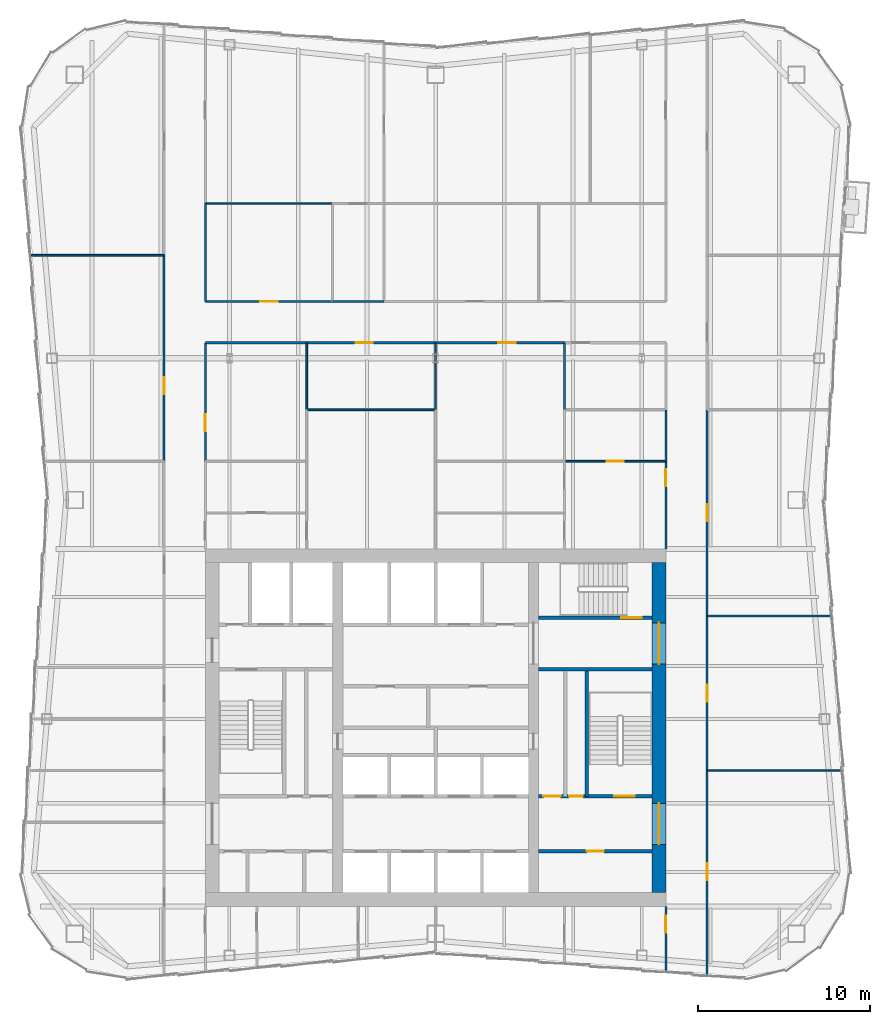
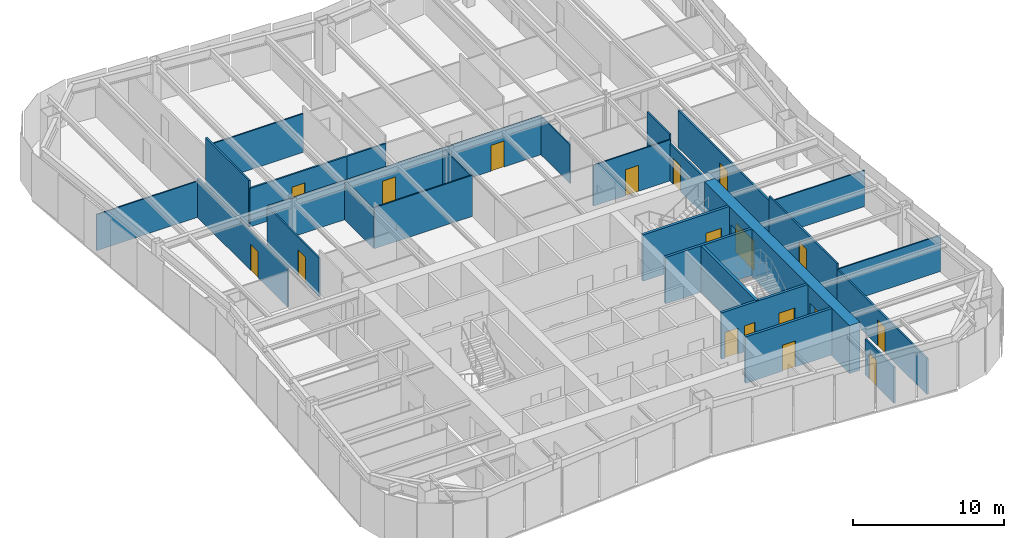
# One storey, part 8 of 12: 29 walls, 18 doors, 18 openings.
"""IFC4 building model written with IfcOpenShell, lengths in metres."""

from ifc_helpers import new_model, si_unit, direction, frame, frame_2d, origin, place, context, subcontext, project, spatial, rectangle, extrude, material, layer, layer_set, type_object, element, fill, save


model = new_model("IFC4")

# Units and contexts
model_context = context("Model", 3, precision=1e-05, world=origin(), true_north=direction((0.0, 1.0)))
body_context = subcontext(model_context, "Body", "Model", "MODEL_VIEW")
ifc_project = project(units=[si_unit("LENGTHUNIT", "METRE"), si_unit("AREAUNIT", "SQUARE_METRE"), si_unit("VOLUMEUNIT", "CUBIC_METRE"), si_unit("PLANEANGLEUNIT", "RADIAN"), si_unit("MASSUNIT", "GRAM", prefix="KILO")], contexts=[model_context])

# Site, building, storey
site_placement = place(None, origin())
site = spatial("IfcSite", under=ifc_project, at=site_placement, CompositionType="ELEMENT")
building_placement = place(site_placement, origin())
building = spatial("IfcBuilding", under=site, at=building_placement, Name="Verdant Reach Tower", CompositionType="ELEMENT")
storey_placement = place(building_placement, frame((0.0, 0.0, 278.0)))
storey = spatial("IfcBuildingStorey", under=building, at=storey_placement, Name="L64", CompositionType="ELEMENT", Elevation=278.0)

# Wall, opening, door
ifc_material_1 = material(Name="Gypsum board on steel studs", Category="steel")
ifc_layer_1 = layer(ifc_material_1, 0.199951171875)
ifc_layer_set_1 = layer_set([ifc_layer_1], Name="CO-WALL-ROOM")
wall_type_1 = type_object("IfcWallType", Name="CO-WALL-ROOM", PredefinedType="PARTITIONING", material=ifc_layer_set_1)
wall_1_placement = place(storey_placement, frame((6.0, 20.800048828125, 0.0), z_axis=(0.0, 0.0, 1.0), x_axis=(1.0, 0.0, 0.0)))
wall_1 = element("IfcWall", 1, at=wall_1_placement, inside=storey, type_object=wall_type_1, Name="Core partition, L64", PredefinedType="PARTITIONING", context=body_context, shape_type="SweptSolid", body=[
    extrude(rectangle(XDim=6.60009765625, YDim=0.199951171875, at=frame_2d((3.300048828125, 0.0))), origin(), (0.0, 0.0, 1.0), 3.75),
])
opening_1_placement = place(wall_1_placement, frame((2.800048828125, 0.0, 0.0)))
opening_1 = element("IfcOpeningElement", 2, at=opening_1_placement, cuts=wall_1, Name="Opening CD", PredefinedType="OPENING", context=body_context, shape_type="SweptSolid", body=[
    extrude(rectangle(XDim=1.0, YDim=2.10009765625, at=frame_2d((0.5, 1.050048828125))), frame((0.0, 0.10986328125, 0.0), z_axis=(0.0, -1.0, 0.0), x_axis=(1.0, 0.0, 0.0)), (0.0, 0.0, 1.0), 0.219970703125),
])
ifc_material_2 = material(Name="Timber", Category="wood")
door_type_1 = type_object("IfcDoorType", Name="CO-DOOR-ROOM", OperationType="NOTDEFINED", PredefinedType="DOOR", material=ifc_material_2)
door_1_placement = place(opening_1_placement, origin())
door_1 = element("IfcDoor", 3, at=door_1_placement, inside=storey, type_object=door_type_1, Name="Core room door, L64", OperationType="SINGLE_SWING_RIGHT", OverallHeight=2.10009765625, OverallWidth=1.0, PredefinedType="DOOR", context=body_context, shape_type="SweptSolid", body=[
    extrude(rectangle(XDim=1.0, YDim=2.10009765625, at=frame_2d((0.5, 1.050048828125))), frame((0.0, 0.02490234375, 0.0), z_axis=(0.0, -1.0, 0.0), x_axis=(1.0, 0.0, 0.0)), (0.0, 0.0, 1.0), 0.050048828125),
])
fill(opening_1, door_1)

# Wall, openings, doors
ifc_material_3 = material(Name="Concrete C40/50", Category="concrete")
ifc_layer_2 = layer(ifc_material_3, 0.199951171875)
ifc_layer_set_2 = layer_set([ifc_layer_2], Name="CO-WALL-STAIR")
wall_type_2 = type_object("IfcWallType", Name="CO-WALL-STAIR", PredefinedType="PARTITIONING", material=ifc_layer_set_2)
wall_2_placement = place(storey_placement, frame((6.0, 24.0, 0.0), z_axis=(0.0, 0.0, 1.0), x_axis=(1.0, 0.0, 0.0)))
wall_2 = element("IfcWall", 4, at=wall_2_placement, inside=storey, type_object=wall_type_2, Name="Stair enclosure wall, L64", PredefinedType="PARTITIONING", context=body_context, shape_type="SweptSolid", body=[
    extrude(rectangle(XDim=6.60009765625, YDim=0.199951171875, at=frame_2d((3.300048828125, 0.0))), origin(), (0.0, 0.0, 1.0), 3.75),
])
opening_2_placement = place(wall_2_placement, frame((0.27001953125, 0.0, 0.0)))
opening_2 = element("IfcOpeningElement", 5, at=opening_2_placement, cuts=wall_2, Name="Opening CD", PredefinedType="OPENING", context=body_context, shape_type="SweptSolid", body=[
    extrude(rectangle(XDim=1.0, YDim=2.10009765625, at=frame_2d((0.5, 1.050048828125))), frame((0.0, 0.10986328125, 0.0), z_axis=(0.0, -1.0, 0.0), x_axis=(1.0, 0.0, 0.0)), (0.0, 0.0, 1.0), 0.219970703125),
])
opening_3_placement = place(wall_2_placement, frame((1.77001953125, 0.0, 0.0)))
opening_3 = element("IfcOpeningElement", 6, at=opening_3_placement, cuts=wall_2, Name="Opening CDN", PredefinedType="OPENING", context=body_context, shape_type="SweptSolid", body=[
    extrude(rectangle(XDim=0.800048828125, YDim=2.10009765625, at=frame_2d((0.39990234375, 1.050048828125))), frame((0.0, 0.10986328125, 0.0), z_axis=(0.0, -1.0, 0.0), x_axis=(1.0, 0.0, 0.0)), (0.0, 0.0, 1.0), 0.219970703125),
])
opening_4_placement = place(wall_2_placement, frame((4.39990234375, 0.0, 0.0)))
opening_4 = element("IfcOpeningElement", 7, at=opening_4_placement, cuts=wall_2, Name="Opening SD", PredefinedType="OPENING", context=body_context, shape_type="SweptSolid", body=[
    extrude(rectangle(XDim=1.199951171875, YDim=2.199951171875, at=frame_2d((0.60009765625, 1.10009765625))), frame((0.0, 0.10986328125, 0.0), z_axis=(0.0, -1.0, 0.0), x_axis=(1.0, 0.0, 0.0)), (0.0, 0.0, 1.0), 0.219970703125),
])
door_2_placement = place(opening_2_placement, origin())
door_2 = element("IfcDoor", 8, at=door_2_placement, inside=storey, type_object=door_type_1, Name="Core room door, L64", OperationType="SINGLE_SWING_RIGHT", OverallHeight=2.10009765625, OverallWidth=1.0, PredefinedType="DOOR", context=body_context, shape_type="SweptSolid", body=[
    extrude(rectangle(XDim=1.0, YDim=2.10009765625, at=frame_2d((0.5, 1.050048828125))), frame((0.0, 0.02490234375, 0.0), z_axis=(0.0, -1.0, 0.0), x_axis=(1.0, 0.0, 0.0)), (0.0, 0.0, 1.0), 0.050048828125),
])
fill(opening_2, door_2)
door_type_2 = type_object("IfcDoorType", Name="CO-DOOR-ROOM-NARROW", OperationType="NOTDEFINED", PredefinedType="DOOR", material=ifc_material_2)
door_3_placement = place(opening_3_placement, origin())
door_3 = element("IfcDoor", 9, at=door_3_placement, inside=storey, type_object=door_type_2, Name="Core room door, L64", OperationType="SINGLE_SWING_LEFT", OverallHeight=2.10009765625, OverallWidth=0.800048828125, PredefinedType="DOOR", context=body_context, shape_type="SweptSolid", body=[
    extrude(rectangle(XDim=0.800048828125, YDim=2.10009765625, at=frame_2d((0.39990234375, 1.050048828125))), frame((0.0, 0.02490234375, 0.0), z_axis=(0.0, -1.0, 0.0), x_axis=(1.0, 0.0, 0.0)), (0.0, 0.0, 1.0), 0.050048828125),
])
fill(opening_3, door_3)
ifc_material_4 = material(Name="Steel", Category="steel")
door_type_3 = type_object("IfcDoorType", Name="CO-DOOR-STAIR", OperationType="NOTDEFINED", PredefinedType="DOOR", material=ifc_material_4)
door_4_placement = place(opening_4_placement, origin())
door_4 = element("IfcDoor", 10, at=door_4_placement, inside=storey, type_object=door_type_3, Name="Stair door, L64", OperationType="SINGLE_SWING_RIGHT", OverallHeight=2.199951171875, OverallWidth=1.199951171875, PredefinedType="DOOR", context=body_context, shape_type="SweptSolid", body=[
    extrude(rectangle(XDim=1.199951171875, YDim=2.199951171875, at=frame_2d((0.60009765625, 1.10009765625))), frame((0.0, 0.02490234375, 0.0), z_axis=(0.0, -1.0, 0.0), x_axis=(1.0, 0.0, 0.0)), (0.0, 0.0, 1.0), 0.050048828125),
])
fill(opening_4, door_4)

# Wall
wall_3_placement = place(storey_placement, frame((6.0, 31.39990234375, 0.0), z_axis=(0.0, 0.0, 1.0), x_axis=(1.0, 0.0, 0.0)))
element("IfcWall", 11, at=wall_3_placement, inside=storey, type_object=wall_type_2, Name="Stair enclosure wall, L64", PredefinedType="PARTITIONING", context=body_context, shape_type="SweptSolid", body=[
    extrude(rectangle(XDim=6.60009765625, YDim=0.199951171875, at=frame_2d((3.300048828125, 0.0))), origin(), (0.0, 0.0, 1.0), 3.75),
])

# Wall, opening, door
wall_4_placement = place(storey_placement, frame((6.0, 34.39990234375, 0.0), z_axis=(0.0, 0.0, 1.0), x_axis=(1.0, 0.0, 0.0)))
wall_4 = element("IfcWall", 12, at=wall_4_placement, inside=storey, type_object=wall_type_2, Name="Stair enclosure wall, L64", PredefinedType="PARTITIONING", context=body_context, shape_type="SweptSolid", body=[
    extrude(rectangle(XDim=6.60009765625, YDim=0.199951171875, at=frame_2d((3.300048828125, 0.0))), origin(), (0.0, 0.0, 1.0), 3.75),
])
opening_5_placement = place(wall_4_placement, frame((4.800048828125, 0.0, 0.0)))
opening_5 = element("IfcOpeningElement", 13, at=opening_5_placement, cuts=wall_4, Name="Opening SD", PredefinedType="OPENING", context=body_context, shape_type="SweptSolid", body=[
    extrude(rectangle(XDim=1.199951171875, YDim=2.199951171875, at=frame_2d((0.60009765625, 1.10009765625))), frame((0.0, 0.10986328125, 0.0), z_axis=(0.0, -1.0, 0.0), x_axis=(1.0, 0.0, 0.0)), (0.0, 0.0, 1.0), 0.219970703125),
])
door_5_placement = place(opening_5_placement, origin())
door_5 = element("IfcDoor", 14, at=door_5_placement, inside=storey, type_object=door_type_3, Name="Stair door, L64", OperationType="SINGLE_SWING_LEFT", OverallHeight=2.199951171875, OverallWidth=1.199951171875, PredefinedType="DOOR", context=body_context, shape_type="SweptSolid", body=[
    extrude(rectangle(XDim=1.199951171875, YDim=2.199951171875, at=frame_2d((0.60009765625, 1.10009765625))), frame((0.0, 0.02490234375, 0.0), z_axis=(0.0, -1.0, 0.0), x_axis=(1.0, 0.0, 0.0)), (0.0, 0.0, 1.0), 0.050048828125),
])
fill(opening_5, door_5)

# Walls
wall_5_placement = place(storey_placement, frame((8.800048828125, 24.0, 0.0), z_axis=(0.0, 0.0, 1.0), x_axis=(0.0, 1.0, 0.0)))
element("IfcWall", 15, at=wall_5_placement, inside=storey, type_object=wall_type_2, Name="Stair enclosure wall, L64", PredefinedType="PARTITIONING", context=body_context, shape_type="SweptSolid", body=[
    extrude(rectangle(XDim=7.39990234375, YDim=0.199951171875, at=frame_2d((3.699951171875, 0.0))), origin(), (0.0, 0.0, 1.0), 3.75),
])
ifc_layer_3 = layer(ifc_material_1, 0.10009765625)
ifc_layer_set_3 = layer_set([ifc_layer_3], Name="FL-W1 Partition 100")
wall_type_3 = type_object("IfcWallType", Name="FL-W1 Partition 100", PredefinedType="PARTITIONING", material=ifc_layer_set_3)
wall_6_placement = place(storey_placement, frame((-15.800048828125, 55.5, 0.0), z_axis=(0.0, 0.0, 1.0), x_axis=(-1.0, 0.0, 0.0)))
element("IfcWall", 16, at=wall_6_placement, inside=storey, type_object=wall_type_3, Name="Partition 64.38", PredefinedType="PARTITIONING", context=body_context, shape_type="SweptSolid", body=[
    extrude(rectangle(XDim=7.7626953125, YDim=0.10009765625, at=frame_2d((3.88134765625, 0.0))), origin(), (0.0, 0.0, 1.0), 2.919921875),
])
wall_7_placement = place(storey_placement, frame((23.666259765625, 25.5, 0.0), z_axis=(0.0, 0.0, 1.0), x_axis=(-1.0, 0.0, 0.0)))
element("IfcWall", 17, at=wall_7_placement, inside=storey, type_object=wall_type_3, Name="Partition 64.39", PredefinedType="PARTITIONING", context=body_context, shape_type="SweptSolid", body=[
    extrude(rectangle(XDim=7.8662109375, YDim=0.10009765625, at=frame_2d((3.93310546875, 0.0))), origin(), (0.0, 0.0, 1.0), 2.919921875),
])
wall_8_placement = place(storey_placement, frame((23.04541015625, 34.5, 0.0), z_axis=(0.0, 0.0, 1.0), x_axis=(-1.0, 0.0, 0.0)))
element("IfcWall", 18, at=wall_8_placement, inside=storey, type_object=wall_type_3, Name="Partition 64.40", PredefinedType="PARTITIONING", context=body_context, shape_type="SweptSolid", body=[
    extrude(rectangle(XDim=7.245361328125, YDim=0.10009765625, at=frame_2d((3.62255859375, 0.0))), origin(), (0.0, 0.0, 1.0), 2.919921875),
])
wall_9_placement = place(storey_placement, frame((-7.5, 46.5, 0.0), z_axis=(0.0, 0.0, 1.0), x_axis=(0.0, 1.0, 0.0)))
element("IfcWall", 19, at=wall_9_placement, inside=storey, type_object=wall_type_3, Name="Partition 64.52", PredefinedType="PARTITIONING", context=body_context, shape_type="SweptSolid", body=[
    extrude(rectangle(XDim=3.89990234375, YDim=0.10009765625, at=frame_2d((1.949951171875, 0.0))), origin(), (0.0, 0.0, 1.0), 3.1201171875),
])
wall_10_placement = place(storey_placement, frame((0.0, 46.5, 0.0), z_axis=(0.0, 0.0, 1.0), x_axis=(-1.0, 0.0, 0.0)))
element("IfcWall", 20, at=wall_10_placement, inside=storey, type_object=wall_type_3, Name="Partition 64.53", PredefinedType="PARTITIONING", context=body_context, shape_type="SweptSolid", body=[
    extrude(rectangle(XDim=7.5, YDim=0.10009765625, at=frame_2d((3.75, 0.0))), origin(), (0.0, 0.0, 1.0), 3.320068359375),
])
wall_11_placement = place(storey_placement, frame((0.0, 46.49609375, 0.0), z_axis=(0.0, 0.0, 1.0), x_axis=(0.0, 1.0, 0.0)))
element("IfcWall", 21, at=wall_11_placement, inside=storey, type_object=wall_type_3, Name="Partition 64.57", PredefinedType="PARTITIONING", context=body_context, shape_type="SweptSolid", body=[
    extrude(rectangle(XDim=3.90380859375, YDim=0.10009765625, at=frame_2d((1.951904296875, 0.0))), origin(), (0.0, 0.0, 1.0), 3.169921875),
])

# Wall, opening, door
wall_12_placement = place(storey_placement, frame((7.5, 43.5, 0.0), z_axis=(0.0, 0.0, 1.0), x_axis=(1.0, 0.0, 0.0)))
wall_12 = element("IfcWall", 22, at=wall_12_placement, inside=storey, type_object=wall_type_3, Name="Partition 64.58", PredefinedType="PARTITIONING", context=body_context, shape_type="SweptSolid", body=[
    extrude(rectangle(XDim=5.89990234375, YDim=0.10009765625, at=frame_2d((2.949951171875, 0.0))), origin(), (0.0, 0.0, 1.0), 3.320068359375),
])
opening_6_placement = place(wall_12_placement, frame((2.449951171875, 0.0, 0.0)))
opening_6 = element("IfcOpeningElement", 23, at=opening_6_placement, cuts=wall_12, Name="Opening D3", PredefinedType="OPENING", context=body_context, shape_type="SweptSolid", body=[
    extrude(rectangle(XDim=1.0, YDim=2.10009765625, at=frame_2d((0.5, 1.050048828125))), frame((0.0, 0.06005859375, 0.0), z_axis=(0.0, -1.0, 0.0), x_axis=(1.0, 0.0, 0.0)), (0.0, 0.0, 1.0), 0.1201171875),
])
ifc_material_5 = material(Name="Painted timber door leaf", Category="wood")
door_type_4 = type_object("IfcDoorType", Name="FL-D3 Door 1000x2100", OperationType="NOTDEFINED", PredefinedType="DOOR", material=ifc_material_5)
door_6_placement = place(opening_6_placement, origin())
door_6 = element("IfcDoor", 24, at=door_6_placement, inside=storey, type_object=door_type_4, Name="Door 64-031", OperationType="SINGLE_SWING_LEFT", OverallHeight=2.10009765625, OverallWidth=1.0, PredefinedType="DOOR", context=body_context, shape_type="SweptSolid", body=[
    extrude(rectangle(XDim=1.0, YDim=2.10009765625, at=frame_2d((0.5, 1.050048828125))), frame((0.0, 0.02490234375, 0.0), z_axis=(0.0, -1.0, 0.0), x_axis=(1.0, 0.0, 0.0)), (0.0, 0.0, 1.0), 0.050048828125),
])
fill(opening_6, door_6)

# Walls
wall_13_placement = place(storey_placement, frame((7.5, 50.39990234375, 0.0), z_axis=(0.0, 0.0, 1.0), x_axis=(0.0, -1.0, 0.0)))
element("IfcWall", 25, at=wall_13_placement, inside=storey, type_object=wall_type_3, Name="Partition 64.63", PredefinedType="PARTITIONING", context=body_context, shape_type="SweptSolid", body=[
    extrude(rectangle(XDim=3.90380859375, YDim=0.10009765625, at=frame_2d((1.951904296875, 0.0))), origin(), (0.0, 0.0, 1.0), 3.1201171875),
])
wall_14_placement = place(storey_placement, frame((-5.99609375, 58.5, 0.0), z_axis=(0.0, 0.0, 1.0), x_axis=(-1.0, 0.0, 0.0)))
element("IfcWall", 26, at=wall_14_placement, inside=storey, type_object=wall_type_3, Name="Partition 64.67", PredefinedType="PARTITIONING", context=body_context, shape_type="SweptSolid", body=[
    extrude(rectangle(XDim=7.40380859375, YDim=0.10009765625, at=frame_2d((3.701904296875, 0.0))), origin(), (0.0, 0.0, 1.0), 3.1201171875),
])

# Wall, opening, door
ifc_material_6 = material(Name="Gypsum board on steel studs, fire rated", Category="steel")
ifc_layer_4 = layer(ifc_material_6, 0.125)
ifc_layer_set_4 = layer_set([ifc_layer_4], Name="FL-W2 Corridor wall 125")
wall_type_4 = type_object("IfcWallType", Name="FL-W2 Corridor wall 125", PredefinedType="PARTITIONING", material=ifc_layer_set_4)
wall_15_placement = place(storey_placement, frame((-15.800048828125, 43.5, 0.0), z_axis=(0.0, 0.0, 1.0), x_axis=(0.0, 1.0, 0.0)))
wall_15 = element("IfcWall", 27, at=wall_15_placement, inside=storey, type_object=wall_type_4, Name="Partition 64.06", PredefinedType="PARTITIONING", context=body_context, shape_type="SweptSolid", body=[
    extrude(rectangle(XDim=12.0, YDim=0.125, at=frame_2d((6.0, 0.0))), origin(), (0.0, 0.0, 1.0), 3.1201171875),
])
opening_7_placement = place(wall_15_placement, frame((3.89990234375, 0.0, 0.0)))
opening_7 = element("IfcOpeningElement", 28, at=opening_7_placement, cuts=wall_15, Name="Opening D2", PredefinedType="OPENING", context=body_context, shape_type="SweptSolid", body=[
    extrude(rectangle(XDim=1.0, YDim=2.10009765625, at=frame_2d((0.5, 1.050048828125))), frame((0.0, 0.072509765625, 0.0), z_axis=(0.0, -1.0, 0.0), x_axis=(1.0, 0.0, 0.0)), (0.0, 0.0, 1.0), 0.14501953125),
])
ifc_material_7 = material(Name="Timber door leaf, fire rated", Category="wood")
door_type_5 = type_object("IfcDoorType", Name="FL-D2 Entrance door 1000x2100 FD30", OperationType="NOTDEFINED", PredefinedType="DOOR", material=ifc_material_7)
door_7_placement = place(opening_7_placement, origin())
door_7 = element("IfcDoor", 29, at=door_7_placement, inside=storey, type_object=door_type_5, Name="Door 64-006", OperationType="SINGLE_SWING_LEFT", OverallHeight=2.10009765625, OverallWidth=1.0, PredefinedType="DOOR", context=body_context, shape_type="SweptSolid", body=[
    extrude(rectangle(XDim=1.0, YDim=2.10009765625, at=frame_2d((0.5, 1.050048828125))), frame((0.0, 0.02490234375, 0.0), z_axis=(0.0, -1.0, 0.0), x_axis=(1.0, 0.0, 0.0)), (0.0, 0.0, 1.0), 0.050048828125),
])
fill(opening_7, door_7)

wall_16_placement = place(storey_placement, frame((15.800048828125, 25.5, 0.0), z_axis=(0.0, 0.0, 1.0), x_axis=(0.0, -1.0, 0.0)))
wall_16 = element("IfcWall", 30, at=wall_16_placement, inside=storey, type_object=wall_type_4, Name="Partition 64.08", PredefinedType="PARTITIONING", context=body_context, shape_type="SweptSolid", body=[
    extrude(rectangle(XDim=11.896728515625, YDim=0.125, at=frame_2d((5.9482421875, 0.0))), origin(), (0.0, 0.0, 1.0), 2.919921875),
])
opening_8_placement = place(wall_16_placement, frame((5.38330078125, 0.0, 0.0)))
opening_8 = element("IfcOpeningElement", 31, at=opening_8_placement, cuts=wall_16, Name="Opening D2", PredefinedType="OPENING", context=body_context, shape_type="SweptSolid", body=[
    extrude(rectangle(XDim=1.0, YDim=2.10009765625, at=frame_2d((0.5, 1.050048828125))), frame((0.0, 0.072509765625, 0.0), z_axis=(0.0, -1.0, 0.0), x_axis=(1.0, 0.0, 0.0)), (0.0, 0.0, 1.0), 0.14501953125),
])
door_8_placement = place(opening_8_placement, origin())
door_8 = element("IfcDoor", 32, at=door_8_placement, inside=storey, type_object=door_type_5, Name="Door 64-008", OperationType="SINGLE_SWING_LEFT", OverallHeight=2.10009765625, OverallWidth=1.0, PredefinedType="DOOR", context=body_context, shape_type="SweptSolid", body=[
    extrude(rectangle(XDim=1.0, YDim=2.10009765625, at=frame_2d((0.5, 1.050048828125))), frame((0.0, 0.02490234375, 0.0), z_axis=(0.0, -1.0, 0.0), x_axis=(1.0, 0.0, 0.0)), (0.0, 0.0, 1.0), 0.050048828125),
])
fill(opening_8, door_8)

wall_17_placement = place(storey_placement, frame((15.800048828125, 34.5, 0.0), z_axis=(0.0, 0.0, 1.0), x_axis=(0.0, -1.0, 0.0)))
wall_17 = element("IfcWall", 33, at=wall_17_placement, inside=storey, type_object=wall_type_4, Name="Partition 64.09", PredefinedType="PARTITIONING", context=body_context, shape_type="SweptSolid", body=[
    extrude(rectangle(XDim=9.0, YDim=0.125, at=frame_2d((4.5, 0.0))), origin(), (0.0, 0.0, 1.0), 3.360107421875),
])
opening_9_placement = place(wall_17_placement, frame((4.0, 0.0, 0.0)))
opening_9 = element("IfcOpeningElement", 34, at=opening_9_placement, cuts=wall_17, Name="Opening D2", PredefinedType="OPENING", context=body_context, shape_type="SweptSolid", body=[
    extrude(rectangle(XDim=1.0, YDim=2.10009765625, at=frame_2d((0.5, 1.050048828125))), frame((0.0, 0.072509765625, 0.0), z_axis=(0.0, -1.0, 0.0), x_axis=(1.0, 0.0, 0.0)), (0.0, 0.0, 1.0), 0.14501953125),
])
door_9_placement = place(opening_9_placement, origin())
door_9 = element("IfcDoor", 35, at=door_9_placement, inside=storey, type_object=door_type_5, Name="Door 64-009", OperationType="SINGLE_SWING_LEFT", OverallHeight=2.10009765625, OverallWidth=1.0, PredefinedType="DOOR", context=body_context, shape_type="SweptSolid", body=[
    extrude(rectangle(XDim=1.0, YDim=2.10009765625, at=frame_2d((0.5, 1.050048828125))), frame((0.0, 0.02490234375, 0.0), z_axis=(0.0, -1.0, 0.0), x_axis=(1.0, 0.0, 0.0)), (0.0, 0.0, 1.0), 0.050048828125),
])
fill(opening_9, door_9)

wall_18_placement = place(storey_placement, frame((15.800048828125, 46.5, 0.0), z_axis=(0.0, 0.0, 1.0), x_axis=(0.0, -1.0, 0.0)))
wall_18 = element("IfcWall", 36, at=wall_18_placement, inside=storey, type_object=wall_type_4, Name="Partition 64.10", PredefinedType="PARTITIONING", context=body_context, shape_type="SweptSolid", body=[
    extrude(rectangle(XDim=12.0, YDim=0.125, at=frame_2d((6.0, 0.0))), origin(), (0.0, 0.0, 1.0), 3.02001953125),
])
opening_10_placement = place(wall_18_placement, frame((5.5, 0.0, 0.0)))
opening_10 = element("IfcOpeningElement", 37, at=opening_10_placement, cuts=wall_18, Name="Opening D2", PredefinedType="OPENING", context=body_context, shape_type="SweptSolid", body=[
    extrude(rectangle(XDim=1.0, YDim=2.10009765625, at=frame_2d((0.5, 1.050048828125))), frame((0.0, 0.072509765625, 0.0), z_axis=(0.0, -1.0, 0.0), x_axis=(1.0, 0.0, 0.0)), (0.0, 0.0, 1.0), 0.14501953125),
])
door_10_placement = place(opening_10_placement, origin())
door_10 = element("IfcDoor", 38, at=door_10_placement, inside=storey, type_object=door_type_5, Name="Door 64-010", OperationType="SINGLE_SWING_RIGHT", OverallHeight=2.10009765625, OverallWidth=1.0, PredefinedType="DOOR", context=body_context, shape_type="SweptSolid", body=[
    extrude(rectangle(XDim=1.0, YDim=2.10009765625, at=frame_2d((0.5, 1.050048828125))), frame((0.0, 0.02490234375, 0.0), z_axis=(0.0, -1.0, 0.0), x_axis=(1.0, 0.0, 0.0)), (0.0, 0.0, 1.0), 0.050048828125),
])
fill(opening_10, door_10)

wall_19_placement = place(storey_placement, frame((13.39990234375, 13.80322265625, 0.0), z_axis=(0.0, 0.0, 1.0), x_axis=(0.0, 1.0, 0.0)))
wall_19 = element("IfcWall", 39, at=wall_19_placement, inside=storey, type_object=wall_type_4, Name="Partition 64.14", PredefinedType="PARTITIONING", context=body_context, shape_type="SweptSolid", body=[
    extrude(rectangle(XDim=3.796875, YDim=0.125, at=frame_2d((1.8984375, 0.0))), origin(), (0.0, 0.0, 1.0), 2.919921875),
])
opening_11_placement = place(wall_19_placement, frame((2.263427734375, 0.0, 0.0)))
opening_11 = element("IfcOpeningElement", 40, at=opening_11_placement, cuts=wall_19, Name="Opening D2", PredefinedType="OPENING", context=body_context, shape_type="SweptSolid", body=[
    extrude(rectangle(XDim=1.0, YDim=2.10009765625, at=frame_2d((0.5, 1.050048828125))), frame((0.0, 0.072509765625, 0.0), z_axis=(0.0, -1.0, 0.0), x_axis=(1.0, 0.0, 0.0)), (0.0, 0.0, 1.0), 0.14501953125),
])
door_11_placement = place(opening_11_placement, origin())
door_11 = element("IfcDoor", 41, at=door_11_placement, inside=storey, type_object=door_type_5, Name="Door 64-014", OperationType="SINGLE_SWING_RIGHT", OverallHeight=2.10009765625, OverallWidth=1.0, PredefinedType="DOOR", context=body_context, shape_type="SweptSolid", body=[
    extrude(rectangle(XDim=1.0, YDim=2.10009765625, at=frame_2d((0.5, 1.050048828125))), frame((0.0, 0.02490234375, 0.0), z_axis=(0.0, -1.0, 0.0), x_axis=(1.0, 0.0, 0.0)), (0.0, 0.0, 1.0), 0.050048828125),
])
fill(opening_11, door_11)

wall_20_placement = place(storey_placement, frame((-13.39990234375, 50.39990234375, 0.0), z_axis=(0.0, 0.0, 1.0), x_axis=(0.0, -1.0, 0.0)))
wall_20 = element("IfcWall", 42, at=wall_20_placement, inside=storey, type_object=wall_type_4, Name="Partition 64.17", PredefinedType="PARTITIONING", context=body_context, shape_type="SweptSolid", body=[
    extrude(rectangle(XDim=6.89990234375, YDim=0.125, at=frame_2d((3.449951171875, 0.0))), origin(), (0.0, 0.0, 1.0), 3.1201171875),
])
opening_12_placement = place(wall_20_placement, frame((4.14990234375, 0.0, 0.0)))
opening_12 = element("IfcOpeningElement", 43, at=opening_12_placement, cuts=wall_20, Name="Opening D2", PredefinedType="OPENING", context=body_context, shape_type="SweptSolid", body=[
    extrude(rectangle(XDim=1.0, YDim=2.10009765625, at=frame_2d((0.5, 1.050048828125))), frame((0.0, 0.072509765625, 0.0), z_axis=(0.0, -1.0, 0.0), x_axis=(1.0, 0.0, 0.0)), (0.0, 0.0, 1.0), 0.14501953125),
])
door_12_placement = place(opening_12_placement, origin())
door_12 = element("IfcDoor", 44, at=door_12_placement, inside=storey, type_object=door_type_5, Name="Door 64-016", OperationType="SINGLE_SWING_RIGHT", OverallHeight=2.10009765625, OverallWidth=1.0, PredefinedType="DOOR", context=body_context, shape_type="SweptSolid", body=[
    extrude(rectangle(XDim=1.0, YDim=2.10009765625, at=frame_2d((0.5, 1.050048828125))), frame((0.0, 0.02490234375, 0.0), z_axis=(0.0, -1.0, 0.0), x_axis=(1.0, 0.0, 0.0)), (0.0, 0.0, 1.0), 0.050048828125),
])
fill(opening_12, door_12)

# Wall
wall_21_placement = place(storey_placement, frame((-7.5, 50.39990234375, 0.0), z_axis=(0.0, 0.0, 1.0), x_axis=(-1.0, 0.0, 0.0)))
element("IfcWall", 45, at=wall_21_placement, inside=storey, type_object=wall_type_4, Name="Partition 64.18", PredefinedType="PARTITIONING", context=body_context, shape_type="SweptSolid", body=[
    extrude(rectangle(XDim=5.89990234375, YDim=0.125, at=frame_2d((2.949951171875, 0.0))), origin(), (0.0, 0.0, 1.0), 3.1201171875),
])

# Wall, opening, door
wall_22_placement = place(storey_placement, frame((0.0, 50.39990234375, 0.0), z_axis=(0.0, 0.0, 1.0), x_axis=(-1.0, 0.0, 0.0)))
wall_22 = element("IfcWall", 46, at=wall_22_placement, inside=storey, type_object=wall_type_4, Name="Partition 64.19", PredefinedType="PARTITIONING", context=body_context, shape_type="SweptSolid", body=[
    extrude(rectangle(XDim=7.5, YDim=0.125, at=frame_2d((3.75, 0.0))), origin(), (0.0, 0.0, 1.0), 3.1201171875),
])
opening_13_placement = place(wall_22_placement, frame((3.64990234375, 0.0, 0.0)))
opening_13 = element("IfcOpeningElement", 47, at=opening_13_placement, cuts=wall_22, Name="Opening D2", PredefinedType="OPENING", context=body_context, shape_type="SweptSolid", body=[
    extrude(rectangle(XDim=1.0, YDim=2.10009765625, at=frame_2d((0.5, 1.050048828125))), frame((0.0, 0.072509765625, 0.0), z_axis=(0.0, -1.0, 0.0), x_axis=(1.0, 0.0, 0.0)), (0.0, 0.0, 1.0), 0.14501953125),
])
door_13_placement = place(opening_13_placement, origin())
door_13 = element("IfcDoor", 48, at=door_13_placement, inside=storey, type_object=door_type_5, Name="Door 64-017", OperationType="SINGLE_SWING_RIGHT", OverallHeight=2.10009765625, OverallWidth=1.0, PredefinedType="DOOR", context=body_context, shape_type="SweptSolid", body=[
    extrude(rectangle(XDim=1.0, YDim=2.10009765625, at=frame_2d((0.5, 1.050048828125))), frame((0.0, 0.02490234375, 0.0), z_axis=(0.0, -1.0, 0.0), x_axis=(1.0, 0.0, 0.0)), (0.0, 0.0, 1.0), 0.050048828125),
])
fill(opening_13, door_13)

wall_23_placement = place(storey_placement, frame((13.39990234375, 38.39990234375, 0.0), z_axis=(0.0, 0.0, 1.0), x_axis=(0.0, 1.0, 0.0)))
wall_23 = element("IfcWall", 49, at=wall_23_placement, inside=storey, type_object=wall_type_4, Name="Partition 64.20", PredefinedType="PARTITIONING", context=body_context, shape_type="SweptSolid", body=[
    extrude(rectangle(XDim=5.10009765625, YDim=0.125, at=frame_2d((2.550048828125, 0.0))), origin(), (0.0, 0.0, 1.0), 3.02001953125),
])
opening_14_placement = place(wall_23_placement, frame((3.64990234375, 0.0, 0.0)))
opening_14 = element("IfcOpeningElement", 50, at=opening_14_placement, cuts=wall_23, Name="Opening D2", PredefinedType="OPENING", context=body_context, shape_type="SweptSolid", body=[
    extrude(rectangle(XDim=1.0, YDim=2.10009765625, at=frame_2d((0.5, 1.050048828125))), frame((0.0, 0.072509765625, 0.0), z_axis=(0.0, -1.0, 0.0), x_axis=(1.0, 0.0, 0.0)), (0.0, 0.0, 1.0), 0.14501953125),
])
door_14_placement = place(opening_14_placement, origin())
door_14 = element("IfcDoor", 51, at=door_14_placement, inside=storey, type_object=door_type_5, Name="Door 64-018", OperationType="SINGLE_SWING_RIGHT", OverallHeight=2.10009765625, OverallWidth=1.0, PredefinedType="DOOR", context=body_context, shape_type="SweptSolid", body=[
    extrude(rectangle(XDim=1.0, YDim=2.10009765625, at=frame_2d((0.5, 1.050048828125))), frame((0.0, 0.02490234375, 0.0), z_axis=(0.0, -1.0, 0.0), x_axis=(1.0, 0.0, 0.0)), (0.0, 0.0, 1.0), 0.050048828125),
])
fill(opening_14, door_14)

# Wall
wall_24_placement = place(storey_placement, frame((13.39990234375, 43.5, 0.0), z_axis=(0.0, 0.0, 1.0), x_axis=(0.0, 1.0, 0.0)))
element("IfcWall", 52, at=wall_24_placement, inside=storey, type_object=wall_type_4, Name="Partition 64.21", PredefinedType="PARTITIONING", context=body_context, shape_type="SweptSolid", body=[
    extrude(rectangle(XDim=3.0, YDim=0.125, at=frame_2d((1.5, 0.0))), origin(), (0.0, 0.0, 1.0), 3.75),
])

# Wall, opening, door
wall_25_placement = place(storey_placement, frame((7.5, 50.39990234375, 0.0), z_axis=(0.0, 0.0, 1.0), x_axis=(-1.0, 0.0, 0.0)))
wall_25 = element("IfcWall", 53, at=wall_25_placement, inside=storey, type_object=wall_type_4, Name="Partition 64.24", PredefinedType="PARTITIONING", context=body_context, shape_type="SweptSolid", body=[
    extrude(rectangle(XDim=7.5, YDim=0.125, at=frame_2d((3.75, 0.0))), origin(), (0.0, 0.0, 1.0), 3.1201171875),
])
opening_15_placement = place(wall_25_placement, frame((2.85009765625, 0.0, 0.0)))
opening_15 = element("IfcOpeningElement", 54, at=opening_15_placement, cuts=wall_25, Name="Opening D2", PredefinedType="OPENING", context=body_context, shape_type="SweptSolid", body=[
    extrude(rectangle(XDim=1.0, YDim=2.10009765625, at=frame_2d((0.5, 1.050048828125))), frame((0.0, 0.072509765625, 0.0), z_axis=(0.0, -1.0, 0.0), x_axis=(1.0, 0.0, 0.0)), (0.0, 0.0, 1.0), 0.14501953125),
])
door_15_placement = place(opening_15_placement, origin())
door_15 = element("IfcDoor", 55, at=door_15_placement, inside=storey, type_object=door_type_5, Name="Door 64-020", OperationType="SINGLE_SWING_LEFT", OverallHeight=2.10009765625, OverallWidth=1.0, PredefinedType="DOOR", context=body_context, shape_type="SweptSolid", body=[
    extrude(rectangle(XDim=1.0, YDim=2.10009765625, at=frame_2d((0.5, 1.050048828125))), frame((0.0, 0.02490234375, 0.0), z_axis=(0.0, -1.0, 0.0), x_axis=(1.0, 0.0, 0.0)), (0.0, 0.0, 1.0), 0.050048828125),
])
fill(opening_15, door_15)

wall_26_placement = place(storey_placement, frame((-13.39990234375, 52.800048828125, 0.0), z_axis=(0.0, 0.0, 1.0), x_axis=(1.0, 0.0, 0.0)))
wall_26 = element("IfcWall", 56, at=wall_26_placement, inside=storey, type_object=wall_type_4, Name="Partition 64.25", PredefinedType="PARTITIONING", context=body_context, shape_type="SweptSolid", body=[
    extrude(rectangle(XDim=7.39990234375, YDim=0.125, at=frame_2d((3.699951171875, 0.0))), origin(), (0.0, 0.0, 1.0), 3.1201171875),
])
opening_16_placement = place(wall_26_placement, frame((3.199951171875, 0.0, 0.0)))
opening_16 = element("IfcOpeningElement", 57, at=opening_16_placement, cuts=wall_26, Name="Opening D2", PredefinedType="OPENING", context=body_context, shape_type="SweptSolid", body=[
    extrude(rectangle(XDim=1.0, YDim=2.10009765625, at=frame_2d((0.5, 1.050048828125))), frame((0.0, 0.072509765625, 0.0), z_axis=(0.0, -1.0, 0.0), x_axis=(1.0, 0.0, 0.0)), (0.0, 0.0, 1.0), 0.14501953125),
])
door_16_placement = place(opening_16_placement, origin())
door_16 = element("IfcDoor", 58, at=door_16_placement, inside=storey, type_object=door_type_5, Name="Door 64-021", OperationType="SINGLE_SWING_LEFT", OverallHeight=2.10009765625, OverallWidth=1.0, PredefinedType="DOOR", context=body_context, shape_type="SweptSolid", body=[
    extrude(rectangle(XDim=1.0, YDim=2.10009765625, at=frame_2d((0.5, 1.050048828125))), frame((0.0, 0.02490234375, 0.0), z_axis=(0.0, -1.0, 0.0), x_axis=(1.0, 0.0, 0.0)), (0.0, 0.0, 1.0), 0.050048828125),
])
fill(opening_16, door_16)

# Walls
wall_27_placement = place(storey_placement, frame((-13.39990234375, 52.800048828125, 0.0), z_axis=(0.0, 0.0, 1.0), x_axis=(0.0, 1.0, 0.0)))
element("IfcWall", 59, at=wall_27_placement, inside=storey, type_object=wall_type_4, Name="Partition 64.26", PredefinedType="PARTITIONING", context=body_context, shape_type="SweptSolid", body=[
    extrude(rectangle(XDim=5.699951171875, YDim=0.125, at=frame_2d((2.85009765625, 0.0))), origin(), (0.0, 0.0, 1.0), 3.75),
])
wall_28_placement = place(storey_placement, frame((-3.0, 52.800048828125, 0.0), z_axis=(0.0, 0.0, 1.0), x_axis=(-1.0, 0.0, 0.0)))
element("IfcWall", 60, at=wall_28_placement, inside=storey, type_object=wall_type_4, Name="Partition 64.27", PredefinedType="PARTITIONING", context=body_context, shape_type="SweptSolid", body=[
    extrude(rectangle(XDim=3.0, YDim=0.125, at=frame_2d((1.5, 0.0))), origin(), (0.0, 0.0, 1.0), 3.1201171875),
])

# Wall, openings, doors
ifc_material_8 = material(Name="Concrete C70/85", Category="concrete")
ifc_layer_5 = layer(ifc_material_8, 0.800048828125)
ifc_layer_set_5 = layer_set([ifc_layer_5], Name="ST-CORE-WALL-800")
wall_type_5 = type_object("IfcWallType", Name="ST-CORE-WALL-800", PredefinedType="SHEAR", material=ifc_layer_set_5)
wall_29_placement = place(storey_placement, frame((13.0, 18.39990234375, -0.1298828125), z_axis=(0.0, 0.0, 1.0), x_axis=(0.0, 1.0, 0.0)))
wall_29 = element("IfcWall", 61, at=wall_29_placement, inside=storey, type_object=wall_type_5, Name="Core wall E, L64", PredefinedType="SHEAR", context=body_context, shape_type="SweptSolid", body=[
    extrude(rectangle(XDim=19.2001953125, YDim=0.800048828125, at=frame_2d((9.60009765625, 0.0))), origin(), (0.0, 0.0, 1.0), 3.8798828125),
])
opening_17_placement = place(wall_29_placement, frame((2.800048828125, 0.0, 0.1298828125)))
opening_17 = element("IfcOpeningElement", 62, at=opening_17_placement, cuts=wall_29, Name="Opening LB", PredefinedType="OPENING", context=body_context, shape_type="SweptSolid", body=[
    extrude(rectangle(XDim=2.39990234375, YDim=2.39990234375, at=frame_2d((1.199951171875, 1.199951171875))), frame((0.0, 0.409912109375, 0.0), z_axis=(0.0, -1.0, 0.0), x_axis=(1.0, 0.0, 0.0)), (0.0, 0.0, 1.0), 0.820068359375),
])
opening_18_placement = place(wall_29_placement, frame((13.300048828125, 0.0, 0.1298828125)))
opening_18 = element("IfcOpeningElement", 63, at=opening_18_placement, cuts=wall_29, Name="Opening LB", PredefinedType="OPENING", context=body_context, shape_type="SweptSolid", body=[
    extrude(rectangle(XDim=2.39990234375, YDim=2.39990234375, at=frame_2d((1.199951171875, 1.199951171875))), frame((0.0, 0.409912109375, 0.0), z_axis=(0.0, -1.0, 0.0), x_axis=(1.0, 0.0, 0.0)), (0.0, 0.0, 1.0), 0.820068359375),
])
ifc_material_9 = material(Name="Glass and steel", Category="steel")
door_type_6 = type_object("IfcDoorType", Name="CO-DOOR-LOBBY", OperationType="DOUBLE_DOOR_SINGLE_SWING", PredefinedType="DOOR", material=ifc_material_9)
door_17_placement = place(opening_17_placement, origin())
door_17 = element("IfcDoor", 64, at=door_17_placement, inside=storey, type_object=door_type_6, Name="Core entrance door, L64", OperationType="DOUBLE_DOOR_SINGLE_SWING", OverallHeight=2.39990234375, OverallWidth=2.39990234375, PredefinedType="DOOR", context=body_context, shape_type="SweptSolid", body=[
    extrude(rectangle(XDim=2.39990234375, YDim=2.39990234375, at=frame_2d((1.199951171875, 1.199951171875))), frame((0.0, 0.02490234375, 0.0), z_axis=(0.0, -1.0, 0.0), x_axis=(1.0, 0.0, 0.0)), (0.0, 0.0, 1.0), 0.050048828125),
])
fill(opening_17, door_17)
door_18_placement = place(opening_18_placement, origin())
door_18 = element("IfcDoor", 65, at=door_18_placement, inside=storey, type_object=door_type_6, Name="Core entrance door, L64", OperationType="DOUBLE_DOOR_SINGLE_SWING", OverallHeight=2.39990234375, OverallWidth=2.39990234375, PredefinedType="DOOR", context=body_context, shape_type="SweptSolid", body=[
    extrude(rectangle(XDim=2.39990234375, YDim=2.39990234375, at=frame_2d((1.199951171875, 1.199951171875))), frame((0.0, 0.02490234375, 0.0), z_axis=(0.0, -1.0, 0.0), x_axis=(1.0, 0.0, 0.0)), (0.0, 0.0, 1.0), 0.050048828125),
])
fill(opening_18, door_18)

save(model, "model.ifc")
